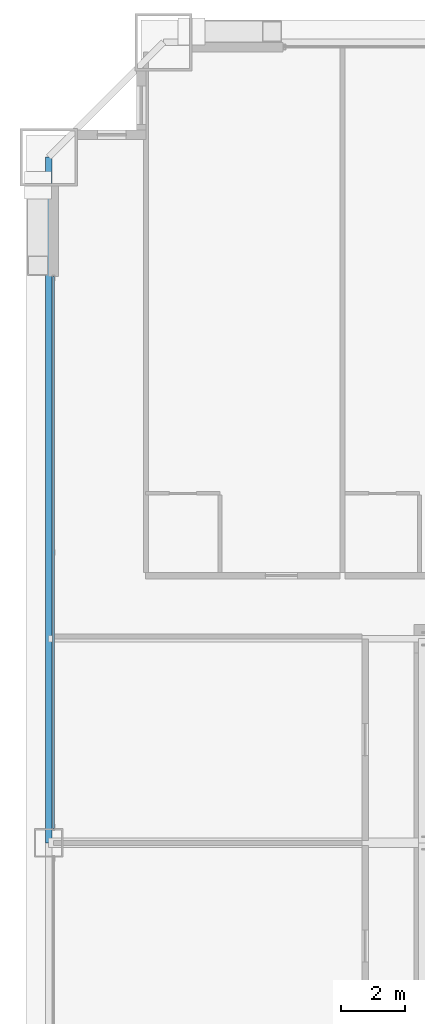
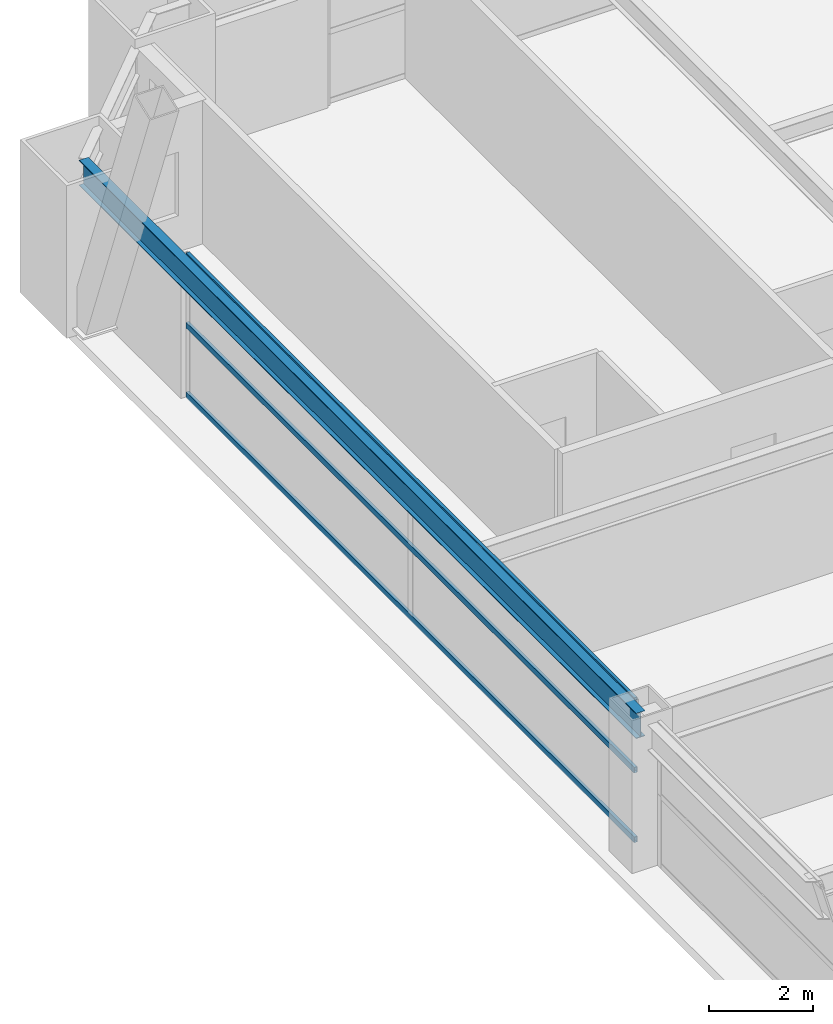
# One storey, part 23 of 43: 3 members, 1 beam, 1 element without a shape of its own.
"""IFC4 building model written with IfcOpenShell, lengths in metres."""

from ifc_helpers import new_model, si_unit, direction, frame, origin, origin_2d, place, context, subcontext, project, spatial, hollow_rectangle, i_section, extrude, source, transform, mapped, material, layer, layer_set, material_profile, profile_set, type_object, element, aggregate, save


model = new_model("IFC4")

# Units and contexts
model_context = context("Model", 3, precision=1e-05, world=origin(), true_north=direction((0.0, 1.0)))
body_context = subcontext(model_context, "Body", "Model", "MODEL_VIEW")
ifc_project = project(units=[si_unit("LENGTHUNIT", "METRE"), si_unit("AREAUNIT", "SQUARE_METRE"), si_unit("VOLUMEUNIT", "CUBIC_METRE"), si_unit("PLANEANGLEUNIT", "RADIAN"), si_unit("MASSUNIT", "GRAM", prefix="KILO"), si_unit("THERMODYNAMICTEMPERATUREUNIT", "KELVIN"), si_unit("POWERUNIT", "WATT")], contexts=[model_context])

# Site, building, storey
site_placement = place(None, origin())
site = spatial("IfcSite", under=ifc_project, at=site_placement, CompositionType="ELEMENT")
building_placement = place(site_placement, origin())
building = spatial("IfcBuilding", under=site, at=building_placement, Name="Yuzanri Waterfront Tower", CompositionType="ELEMENT")
storey_placement = place(building_placement, frame((0.0, 0.0, 74.800048828125)))
storey = spatial("IfcBuildingStorey", under=building, at=storey_placement, Name="L19", CompositionType="ELEMENT", Elevation=74.800048828125)

# Beam
ifc_material_1 = material(Name="Steel Q355B", Category="steel")
ifc_material_profile_1 = material_profile(ifc_material_1, i_section(OverallWidth=0.199951171875, OverallDepth=0.60009765625, WebThickness=0.010986328125, FlangeThickness=0.01708984375, at=origin_2d()), Name="HN 600x200x11x17")
ifc_profile_set_1 = profile_set([ifc_material_profile_1], Name="Steel Q355B")
beam_type = type_object("IfcBeamType", Name="Perimeter Spandrel Q355B HN 600x200", PredefinedType="SPANDREL", material=ifc_profile_set_1)
shared_shape_1 = source(origin(), body_context, "Body", "SweptSolid", [
    extrude(i_section(OverallWidth=0.199951171875, OverallDepth=0.60009765625, WebThickness=0.010986328125, FlangeThickness=0.01708984375, at=origin_2d()), origin(), (0.0, 0.0, 1.0), 21.5),
])
beam_placement = place(storey_placement, frame((11.89990234375, 47.300048828125, 3.079833984375), z_axis=(0.0, -1.0, 0.0), x_axis=(1.0, 0.0, 0.0)))
element("IfcBeam", 1, at=beam_placement, inside=storey, type_object=beam_type, Name="L19 Perimeter Spandrel W3-W2", PredefinedType="SPANDREL", context=body_context, shape_type="MappedRepresentation", body=[
    mapped(shared_shape_1, transform((0.0, 0.0, 0.0), scale=1.0)),
])

# Curtain wall, members
ifc_material_2 = material(Name="Anodized Architectural Bronze", Category="metal")
ifc_layer = layer(ifc_material_2, 0.159912109375)
ifc_layer_set = layer_set([ifc_layer], Name="Anodized Architectural Bronze")
curtain_wall_type = type_object("IfcCurtainWallType", Name="Anodized Bronze Hotel Lower-Tier Recessed Unitized Curtain Wall 8100", PredefinedType="NOTDEFINED", material=ifc_layer_set)
curtain_wall_placement = place(storey_placement, origin())
curtain_wall = element("IfcCurtainWall", 2, at=curtain_wall_placement, inside=storey, type_object=curtain_wall_type, Name="L19 Curtain Wall CW-L19-WR", PredefinedType="NOTDEFINED")
ifc_material_3 = material(Name="Anodized Architectural Bronze", Category="metal")
ifc_material_profile_2 = material_profile(ifc_material_3, hollow_rectangle(XDim=0.070068359375, YDim=0.135009765625, WallThickness=0.00341796875, at=origin_2d()), Name="CWT 70x135")
ifc_profile_set_2 = profile_set([ifc_material_profile_2], Name="Anodized Architectural Bronze")
member_type = type_object("IfcMemberType", Name="Anodized Bronze Standard Curtain-Wall Transom 70x135", PredefinedType="USERDEFINED", material=ifc_profile_set_2)
shared_shape_2 = source(origin(), body_context, "Body", "SweptSolid", [
    extrude(hollow_rectangle(XDim=0.070068359375, YDim=0.135009765625, WallThickness=0.00341796875, at=origin_2d()), origin(), (0.0, 0.0, 1.0), 17.300048828125),
])
member_1_placement = place(storey_placement, frame((12.050048828125, 26.25, 0.050048828125), z_axis=(0.0, 1.0, 0.0), x_axis=(-1.0, 0.0, 0.0)))
member_1 = element("IfcMember", 3, at=member_1_placement, type_object=member_type, Name="CW-L19-WR Transom 1", ObjectType="TRANSOM", PredefinedType="USERDEFINED", context=body_context, shape_type="MappedRepresentation", body=[
    mapped(shared_shape_2, transform((0.0, 0.0, 0.0), scale=1.0)),
])
member_2_placement = place(storey_placement, frame((12.050048828125, 26.25, 1.68994140625), z_axis=(0.0, 1.0, 0.0), x_axis=(-1.0, 0.0, 0.0)))
member_2 = element("IfcMember", 4, at=member_2_placement, type_object=member_type, Name="CW-L19-WR Transom 2", ObjectType="TRANSOM", PredefinedType="USERDEFINED", context=body_context, shape_type="MappedRepresentation", body=[
    mapped(shared_shape_2, transform((0.0, 0.0, 0.0), scale=1.0)),
])
member_3_placement = place(storey_placement, frame((12.050048828125, 26.25, 3.329833984375), z_axis=(0.0, 1.0, 0.0), x_axis=(-1.0, 0.0, 0.0)))
member_3 = element("IfcMember", 5, at=member_3_placement, type_object=member_type, Name="CW-L19-WR Transom 3", ObjectType="TRANSOM", PredefinedType="USERDEFINED", context=body_context, shape_type="MappedRepresentation", body=[
    mapped(shared_shape_2, transform((0.0, 0.0, 0.0), scale=1.0)),
])
aggregate(curtain_wall, [member_1, member_2, member_3])

save(model, "model.ifc")
